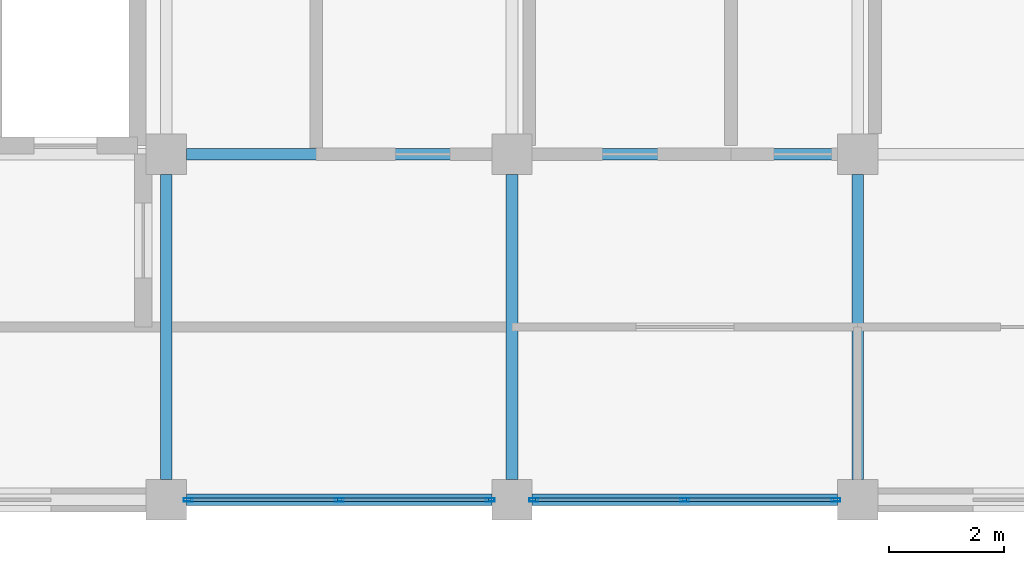
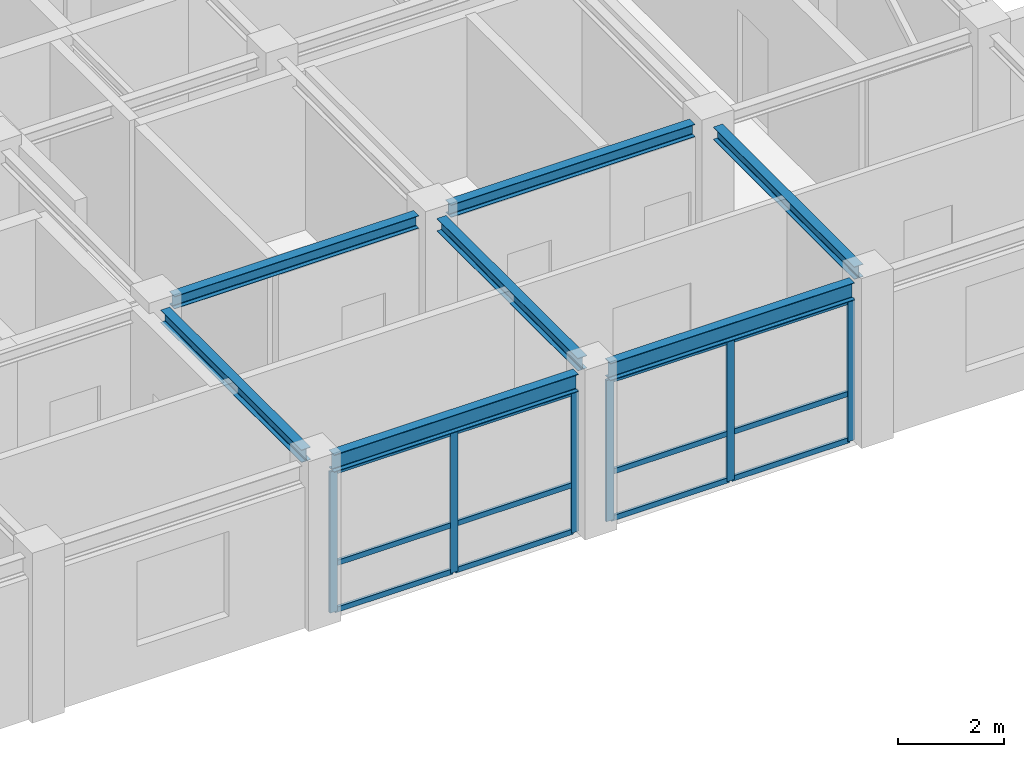
# One storey, part 4 of 11: 18 members, 7 beams, 2 elements without a shape of their own.
"""IFC4 building model written with IfcOpenShell, lengths in metres."""

from ifc_helpers import new_model, si_unit, direction, frame, origin, origin_2d, place, context, subcontext, project, spatial, hollow_rectangle, i_section, extrude, material, layer, layer_set, material_profile, profile_set, type_object, element, aggregate, save


model = new_model("IFC4")

# Units and contexts
model_context = context("Model", 3, precision=1e-05, world=origin(), true_north=direction((0.0, 1.0)))
body_context = subcontext(model_context, "Body", "Model", "MODEL_VIEW")
ifc_project = project(units=[si_unit("LENGTHUNIT", "METRE"), si_unit("AREAUNIT", "SQUARE_METRE"), si_unit("VOLUMEUNIT", "CUBIC_METRE"), si_unit("PLANEANGLEUNIT", "RADIAN"), si_unit("MASSUNIT", "GRAM", prefix="KILO")], contexts=[model_context])

# Site, building, storey
site_placement = place(None, origin())
site = spatial("IfcSite", under=ifc_project, at=site_placement, CompositionType="ELEMENT")
building_placement = place(site_placement, origin())
building = spatial("IfcBuilding", under=site, at=building_placement, Name="Zlatovratsky Civic Hall", CompositionType="ELEMENT")
storey_placement = place(building_placement, frame((0.0, 0.0, 63.89990234375)))
storey = spatial("IfcBuildingStorey", under=building, at=storey_placement, Name="L16", CompositionType="ELEMENT", Elevation=63.89990234375)

# Beams
ifc_material_1 = material(Name="Steel S355", Category="steel")
ifc_material_profile_1 = material_profile(ifc_material_1, i_section(OverallWidth=0.199951171875, OverallDepth=0.39990234375, WebThickness=0.008056640625, FlangeThickness=0.012939453125, FilletRadius=0.014892578125, at=origin_2d()), Name="40B2")
ifc_profile_set_1 = profile_set([ifc_material_profile_1], Name="Steel S355")
beam_type_1 = type_object("IfcBeamType", Name="Beam_Spandrel_40B2", PredefinedType="SPANDREL", material=ifc_profile_set_1)
for number, where, z_axis, x_axis, name in (
    (1, (78.35009765625, 78.0, 3.460205078125), (1.0, 0.0, 0.0), (0.0, 1.0, 0.0), "BM-5120"),
    (2, (84.35009765625, 78.0, 3.460205078125), (1.0, 0.0, 0.0), (0.0, 1.0, 0.0), "BM-5121"),
):
    element("IfcBeam", number, at=place(storey_placement, frame(where, z_axis=z_axis, x_axis=x_axis)), inside=storey, type_object=beam_type_1, Name=name, PredefinedType="SPANDREL", context=body_context, shape_type="SweptSolid", body=[
        extrude(i_section(OverallWidth=0.199951171875, OverallDepth=0.39990234375, WebThickness=0.008056640625, FlangeThickness=0.012939453125, FilletRadius=0.014892578125, at=origin_2d()), origin(), (0.0, 0.0, 1.0), 5.2998046875),
    ])
ifc_material_profile_2 = material_profile(ifc_material_1, i_section(OverallWidth=0.199951171875, OverallDepth=0.291015625, WebThickness=0.008056640625, FlangeThickness=0.010986328125, FilletRadius=0.01806640625, at=origin_2d()), Name="30Sh1")
ifc_profile_set_2 = profile_set([ifc_material_profile_2], Name="Steel S355")
beam_type_2 = type_object("IfcBeamType", Name="Beam_TowerHigh_30Sh1", PredefinedType="BEAM", material=ifc_profile_set_2)
for number, where, z_axis, x_axis, name in (
    (3, (78.35009765625, 84.0, 3.5146484375), (1.0, 0.0, 0.0), (0.0, 1.0, 0.0), "BM-5128"),
    (4, (84.35009765625, 84.0, 3.5146484375), (1.0, 0.0, 0.0), (0.0, 1.0, 0.0), "BM-5129"),
    (5, (78.0, 78.35009765625, 3.5146484375), (0.0, 1.0, 0.0), (-1.0, 0.0, 0.0), "BM-5167"),
    (6, (84.0, 78.35009765625, 3.5146484375), (0.0, 1.0, 0.0), (-1.0, 0.0, 0.0), "BM-5171"),
    (7, (90.0, 78.35009765625, 3.5146484375), (0.0, 1.0, 0.0), (-1.0, 0.0, 0.0), "BM-5175"),
):
    element("IfcBeam", number, at=place(storey_placement, frame(where, z_axis=z_axis, x_axis=x_axis)), inside=storey, type_object=beam_type_2, Name=name, PredefinedType="BEAM", context=body_context, shape_type="SweptSolid", body=[
        extrude(i_section(OverallWidth=0.199951171875, OverallDepth=0.291015625, WebThickness=0.008056640625, FlangeThickness=0.010986328125, FilletRadius=0.01806640625, at=origin_2d()), origin(), (0.0, 0.0, 1.0), 5.2998046875),
    ])

# Curtain wall, members
ifc_material_2 = material(Name="Anodised bronze aluminium", Category="aluminium")
ifc_layer = layer(ifc_material_2, 0.159912109375)
ifc_layer_set = layer_set([ifc_layer], Name="Anodised bronze aluminium")
curtain_wall_type = type_object("IfcCurtainWallType", Name="CurtainWall_Bronze_5300x3240_24", PredefinedType="NOTDEFINED", material=ifc_layer_set)
curtain_wall_1_placement = place(storey_placement, origin())
curtain_wall_1 = element("IfcCurtainWall", 8, at=curtain_wall_1_placement, inside=storey, type_object=curtain_wall_type, Name="CW-173", PredefinedType="NOTDEFINED")
ifc_material_profile_3 = material_profile(ifc_material_2, hollow_rectangle(XDim=0.06005859375, YDim=0.159912109375, WallThickness=0.00390625, at=origin_2d()), Name="ALU 60x160x4")
ifc_profile_set_3 = profile_set([ifc_material_profile_3], Name="Anodised bronze aluminium")
member_type_1 = type_object("IfcMemberType", Name="CW_Mullion_60x160", PredefinedType="MULLION", material=ifc_profile_set_3)
member_1_placement = place(storey_placement, frame((78.3798828125, 78.0, 0.0), z_axis=(0.0, 0.0, 1.0), x_axis=(0.0, 1.0, 0.0)))
member_1 = element("IfcMember", 9, at=member_1_placement, type_object=member_type_1, Name="CW-24 mullion 1", PredefinedType="MULLION", context=body_context, shape_type="SweptSolid", body=[
    extrude(hollow_rectangle(XDim=0.06005859375, YDim=0.159912109375, WallThickness=0.00390625, at=origin_2d()), origin(), (0.0, 0.0, 1.0), 3.239990234375),
])
member_2_placement = place(storey_placement, frame((81.0, 78.0, 0.0), z_axis=(0.0, 0.0, 1.0), x_axis=(0.0, 1.0, 0.0)))
member_2 = element("IfcMember", 10, at=member_2_placement, type_object=member_type_1, Name="CW-24 mullion 2", PredefinedType="MULLION", context=body_context, shape_type="SweptSolid", body=[
    extrude(hollow_rectangle(XDim=0.06005859375, YDim=0.159912109375, WallThickness=0.00390625, at=origin_2d()), origin(), (0.0, 0.0, 1.0), 3.239990234375),
])
member_3_placement = place(storey_placement, frame((83.6201171875, 78.0, 0.0), z_axis=(0.0, 0.0, 1.0), x_axis=(0.0, 1.0, 0.0)))
member_3 = element("IfcMember", 11, at=member_3_placement, type_object=member_type_1, Name="CW-24 mullion 3", PredefinedType="MULLION", context=body_context, shape_type="SweptSolid", body=[
    extrude(hollow_rectangle(XDim=0.06005859375, YDim=0.159912109375, WallThickness=0.00390625, at=origin_2d()), origin(), (0.0, 0.0, 1.0), 3.239990234375),
])

curtain_wall_2_placement = place(storey_placement, origin())
curtain_wall_2 = element("IfcCurtainWall", 12, at=curtain_wall_2_placement, inside=storey, type_object=curtain_wall_type, Name="CW-174", PredefinedType="NOTDEFINED")
member_4_placement = place(storey_placement, frame((84.3798828125, 78.0, 0.0), z_axis=(0.0, 0.0, 1.0), x_axis=(0.0, 1.0, 0.0)))
member_4 = element("IfcMember", 13, at=member_4_placement, type_object=member_type_1, Name="CW-24 mullion 1", PredefinedType="MULLION", context=body_context, shape_type="SweptSolid", body=[
    extrude(hollow_rectangle(XDim=0.06005859375, YDim=0.159912109375, WallThickness=0.00390625, at=origin_2d()), origin(), (0.0, 0.0, 1.0), 3.239990234375),
])
member_5_placement = place(storey_placement, frame((87.0, 78.0, 0.0), z_axis=(0.0, 0.0, 1.0), x_axis=(0.0, 1.0, 0.0)))
member_5 = element("IfcMember", 14, at=member_5_placement, type_object=member_type_1, Name="CW-24 mullion 2", PredefinedType="MULLION", context=body_context, shape_type="SweptSolid", body=[
    extrude(hollow_rectangle(XDim=0.06005859375, YDim=0.159912109375, WallThickness=0.00390625, at=origin_2d()), origin(), (0.0, 0.0, 1.0), 3.239990234375),
])
member_6_placement = place(storey_placement, frame((89.6201171875, 78.0, 0.0), z_axis=(0.0, 0.0, 1.0), x_axis=(0.0, 1.0, 0.0)))
member_6 = element("IfcMember", 15, at=member_6_placement, type_object=member_type_1, Name="CW-24 mullion 3", PredefinedType="MULLION", context=body_context, shape_type="SweptSolid", body=[
    extrude(hollow_rectangle(XDim=0.06005859375, YDim=0.159912109375, WallThickness=0.00390625, at=origin_2d()), origin(), (0.0, 0.0, 1.0), 3.239990234375),
])

# Member
ifc_material_profile_4 = material_profile(ifc_material_2, hollow_rectangle(XDim=0.06005859375, YDim=0.1201171875, WallThickness=0.00390625, at=origin_2d()), Name="ALU 60x120x4")
ifc_profile_set_4 = profile_set([ifc_material_profile_4], Name="Anodised bronze aluminium")
member_type_2 = type_object("IfcMemberType", Name="CW_Transom_60x120", PredefinedType="USERDEFINED", material=ifc_profile_set_4)
member_7_placement = place(storey_placement, frame((78.409912109375, 78.0, 0.030029296875), z_axis=(1.0, 0.0, 0.0), x_axis=(0.0, 1.0, 0.0)))
member_7 = element("IfcMember", 16, at=member_7_placement, type_object=member_type_2, Name="CW-24 transom 1.1", ObjectType="TRANSOM", PredefinedType="USERDEFINED", context=body_context, shape_type="SweptSolid", body=[
    extrude(hollow_rectangle(XDim=0.06005859375, YDim=0.1201171875, WallThickness=0.00390625, at=origin_2d()), origin(), (0.0, 0.0, 1.0), 2.56005859375),
])

member_8_placement = place(storey_placement, frame((78.409912109375, 78.0, 1.10009765625), z_axis=(1.0, 0.0, 0.0), x_axis=(0.0, 1.0, 0.0)))
member_8 = element("IfcMember", 17, at=member_8_placement, type_object=member_type_2, Name="CW-24 transom 1.2", ObjectType="TRANSOM", PredefinedType="USERDEFINED", context=body_context, shape_type="SweptSolid", body=[
    extrude(hollow_rectangle(XDim=0.06005859375, YDim=0.1201171875, WallThickness=0.00390625, at=origin_2d()), origin(), (0.0, 0.0, 1.0), 2.56005859375),
])

member_9_placement = place(storey_placement, frame((78.409912109375, 78.0, 3.210205078125), z_axis=(1.0, 0.0, 0.0), x_axis=(0.0, 1.0, 0.0)))
member_9 = element("IfcMember", 18, at=member_9_placement, type_object=member_type_2, Name="CW-24 transom 1.3", ObjectType="TRANSOM", PredefinedType="USERDEFINED", context=body_context, shape_type="SweptSolid", body=[
    extrude(hollow_rectangle(XDim=0.06005859375, YDim=0.1201171875, WallThickness=0.00390625, at=origin_2d()), origin(), (0.0, 0.0, 1.0), 2.56005859375),
])

member_10_placement = place(storey_placement, frame((81.030029296875, 78.0, 0.030029296875), z_axis=(1.0, 0.0, 0.0), x_axis=(0.0, 1.0, 0.0)))
member_10 = element("IfcMember", 19, at=member_10_placement, type_object=member_type_2, Name="CW-24 transom 2.1", ObjectType="TRANSOM", PredefinedType="USERDEFINED", context=body_context, shape_type="SweptSolid", body=[
    extrude(hollow_rectangle(XDim=0.06005859375, YDim=0.1201171875, WallThickness=0.00390625, at=origin_2d()), origin(), (0.0, 0.0, 1.0), 2.56005859375),
])

member_11_placement = place(storey_placement, frame((81.030029296875, 78.0, 1.10009765625), z_axis=(1.0, 0.0, 0.0), x_axis=(0.0, 1.0, 0.0)))
member_11 = element("IfcMember", 20, at=member_11_placement, type_object=member_type_2, Name="CW-24 transom 2.2", ObjectType="TRANSOM", PredefinedType="USERDEFINED", context=body_context, shape_type="SweptSolid", body=[
    extrude(hollow_rectangle(XDim=0.06005859375, YDim=0.1201171875, WallThickness=0.00390625, at=origin_2d()), origin(), (0.0, 0.0, 1.0), 2.56005859375),
])

member_12_placement = place(storey_placement, frame((81.030029296875, 78.0, 3.210205078125), z_axis=(1.0, 0.0, 0.0), x_axis=(0.0, 1.0, 0.0)))
member_12 = element("IfcMember", 21, at=member_12_placement, type_object=member_type_2, Name="CW-24 transom 2.3", ObjectType="TRANSOM", PredefinedType="USERDEFINED", context=body_context, shape_type="SweptSolid", body=[
    extrude(hollow_rectangle(XDim=0.06005859375, YDim=0.1201171875, WallThickness=0.00390625, at=origin_2d()), origin(), (0.0, 0.0, 1.0), 2.56005859375),
])

aggregate(curtain_wall_1, [member_1, member_2, member_3, member_7, member_8, member_9, member_10, member_11, member_12])

member_13_placement = place(storey_placement, frame((84.409912109375, 78.0, 0.030029296875), z_axis=(1.0, 0.0, 0.0), x_axis=(0.0, 1.0, 0.0)))
member_13 = element("IfcMember", 22, at=member_13_placement, type_object=member_type_2, Name="CW-24 transom 1.1", ObjectType="TRANSOM", PredefinedType="USERDEFINED", context=body_context, shape_type="SweptSolid", body=[
    extrude(hollow_rectangle(XDim=0.06005859375, YDim=0.1201171875, WallThickness=0.00390625, at=origin_2d()), origin(), (0.0, 0.0, 1.0), 2.56005859375),
])

member_14_placement = place(storey_placement, frame((84.409912109375, 78.0, 1.10009765625), z_axis=(1.0, 0.0, 0.0), x_axis=(0.0, 1.0, 0.0)))
member_14 = element("IfcMember", 23, at=member_14_placement, type_object=member_type_2, Name="CW-24 transom 1.2", ObjectType="TRANSOM", PredefinedType="USERDEFINED", context=body_context, shape_type="SweptSolid", body=[
    extrude(hollow_rectangle(XDim=0.06005859375, YDim=0.1201171875, WallThickness=0.00390625, at=origin_2d()), origin(), (0.0, 0.0, 1.0), 2.56005859375),
])

member_15_placement = place(storey_placement, frame((84.409912109375, 78.0, 3.210205078125), z_axis=(1.0, 0.0, 0.0), x_axis=(0.0, 1.0, 0.0)))
member_15 = element("IfcMember", 24, at=member_15_placement, type_object=member_type_2, Name="CW-24 transom 1.3", ObjectType="TRANSOM", PredefinedType="USERDEFINED", context=body_context, shape_type="SweptSolid", body=[
    extrude(hollow_rectangle(XDim=0.06005859375, YDim=0.1201171875, WallThickness=0.00390625, at=origin_2d()), origin(), (0.0, 0.0, 1.0), 2.56005859375),
])

member_16_placement = place(storey_placement, frame((87.030029296875, 78.0, 0.030029296875), z_axis=(1.0, 0.0, 0.0), x_axis=(0.0, 1.0, 0.0)))
member_16 = element("IfcMember", 25, at=member_16_placement, type_object=member_type_2, Name="CW-24 transom 2.1", ObjectType="TRANSOM", PredefinedType="USERDEFINED", context=body_context, shape_type="SweptSolid", body=[
    extrude(hollow_rectangle(XDim=0.06005859375, YDim=0.1201171875, WallThickness=0.00390625, at=origin_2d()), origin(), (0.0, 0.0, 1.0), 2.56005859375),
])

member_17_placement = place(storey_placement, frame((87.030029296875, 78.0, 1.10009765625), z_axis=(1.0, 0.0, 0.0), x_axis=(0.0, 1.0, 0.0)))
member_17 = element("IfcMember", 26, at=member_17_placement, type_object=member_type_2, Name="CW-24 transom 2.2", ObjectType="TRANSOM", PredefinedType="USERDEFINED", context=body_context, shape_type="SweptSolid", body=[
    extrude(hollow_rectangle(XDim=0.06005859375, YDim=0.1201171875, WallThickness=0.00390625, at=origin_2d()), origin(), (0.0, 0.0, 1.0), 2.56005859375),
])

member_18_placement = place(storey_placement, frame((87.030029296875, 78.0, 3.210205078125), z_axis=(1.0, 0.0, 0.0), x_axis=(0.0, 1.0, 0.0)))
member_18 = element("IfcMember", 27, at=member_18_placement, type_object=member_type_2, Name="CW-24 transom 2.3", ObjectType="TRANSOM", PredefinedType="USERDEFINED", context=body_context, shape_type="SweptSolid", body=[
    extrude(hollow_rectangle(XDim=0.06005859375, YDim=0.1201171875, WallThickness=0.00390625, at=origin_2d()), origin(), (0.0, 0.0, 1.0), 2.56005859375),
])

aggregate(curtain_wall_2, [member_4, member_5, member_6, member_13, member_14, member_15, member_16, member_17, member_18])

save(model, "model.ifc")
